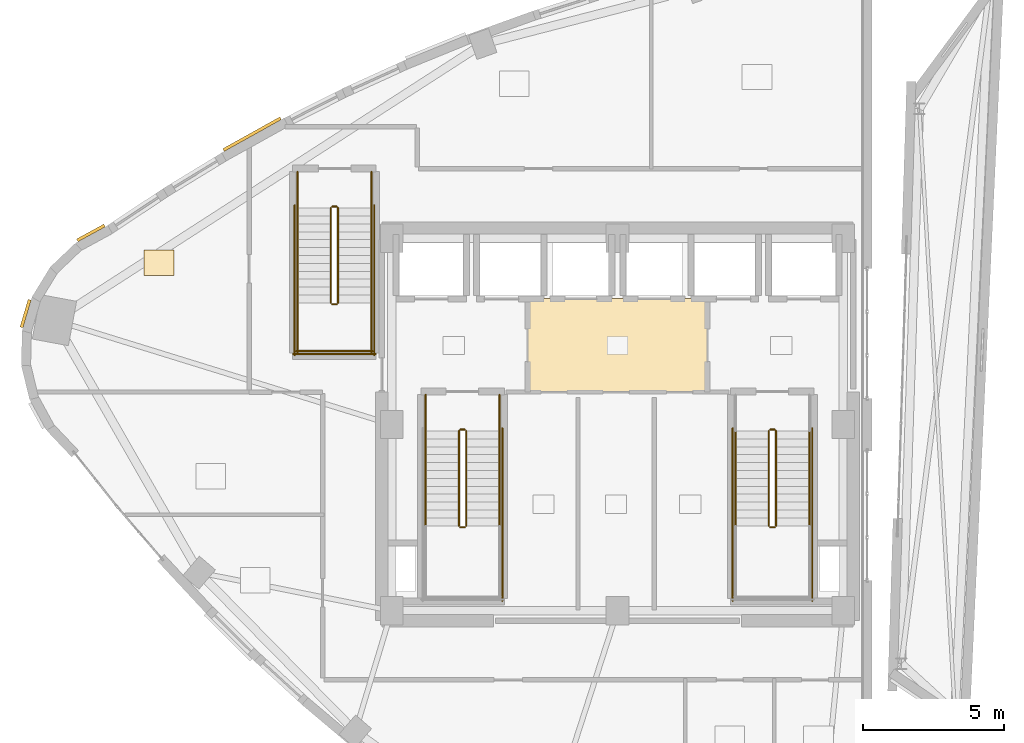
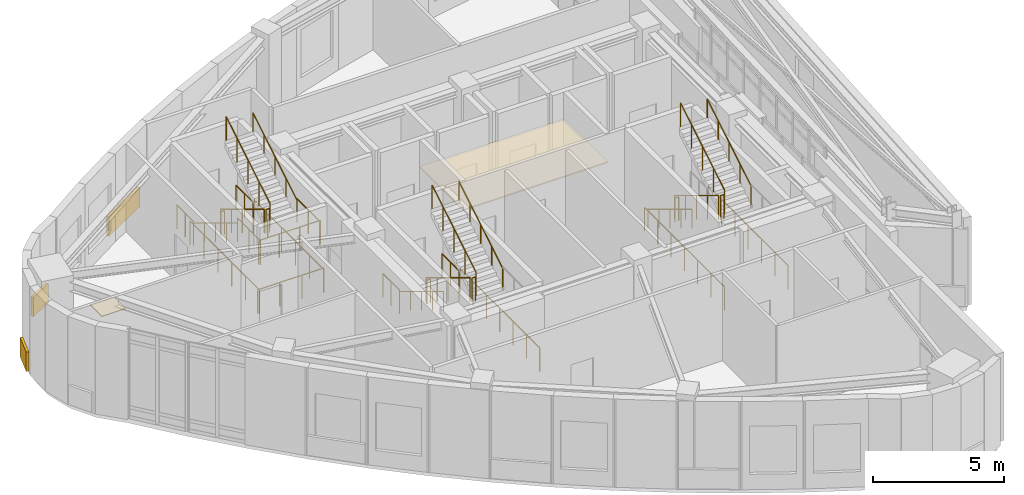
# One storey, part 18 of 19: 31 railings, 5 coverings.
"""IFC4 building model written with IfcOpenShell, lengths in metres."""

from ifc_helpers import new_model, si_unit, direction, frame, origin, origin_2d, place, context, subcontext, project, spatial, rectangle, circle, extrude, material, layer, layer_set, type_object, element, save


model = new_model("IFC4")

# Units and contexts
model_context = context("Model", 3, precision=1e-05, world=origin(), true_north=direction((0.0, 1.0)))
body_context = subcontext(model_context, "Body", "Model", "MODEL_VIEW")
ifc_project = project(units=[si_unit("LENGTHUNIT", "METRE"), si_unit("AREAUNIT", "SQUARE_METRE"), si_unit("VOLUMEUNIT", "CUBIC_METRE"), si_unit("PLANEANGLEUNIT", "RADIAN"), si_unit("MASSUNIT", "GRAM", prefix="KILO")], contexts=[model_context])

# Site, building, storey
site_placement = place(None, origin())
site = spatial("IfcSite", under=ifc_project, at=site_placement, CompositionType="ELEMENT")
building_placement = place(site_placement, origin())
building = spatial("IfcBuilding", under=site, at=building_placement, Name="Ndelora Gate Hotel", CompositionType="ELEMENT")
storey_placement = place(building_placement, frame((0.0, 0.0, 299.199951171875)))
storey = spatial("IfcBuildingStorey", under=building, at=storey_placement, Name="L74", CompositionType="ELEMENT", Elevation=299.199951171875)

# Coverings
ifc_material_1 = material(Name="Perforated Acoustic Gypsum Board", Category="gypsum")
ifc_layer_1 = layer(ifc_material_1, 0.054931640625)
ifc_layer_set_1 = layer_set([ifc_layer_1], Name="Perforated Acoustic Gypsum Board")
covering_type_1 = type_object("IfcCoveringType", Name="COV-CEIL-AC60", PredefinedType="CEILING", material=ifc_layer_set_1)
covering_1_placement = place(storey_placement, frame((0.0, 2.800048828125, 2.72265625), z_axis=(0.0, 0.0, 1.0), x_axis=(1.0, 0.0, 0.0)))
element("IfcCovering", 1, at=covering_1_placement, inside=storey, type_object=covering_type_1, Name="L74 Lift Lobby Acoustic Ceiling", PredefinedType="CEILING", context=body_context, shape_type="SweptSolid", body=[
    extrude(rectangle(XDim=6.39990234375, YDim=3.340087890625, at=origin_2d()), origin(), (0.0, 0.0, 1.0), 0.054931640625),
])
ifc_material_2 = material(Name="Terracotta Fired Clay Brick Slip Cladding", Category="masonry")
ifc_layer_2 = layer(ifc_material_2, 0.110107421875)
ifc_layer_set_2 = layer_set([ifc_layer_2], Name="Terracotta Fired Clay Brick Slip Cladding")
covering_type_2 = type_object("IfcCoveringType", Name="COV-CLAD-BRK", PredefinedType="CLADDING", material=ifc_layer_set_2)
covering_2_placement = place(storey_placement, frame((-18.65771484375, 6.7890625, 0.10009765625), z_axis=(0.0, 0.0, 1.0), x_axis=(0.878150016915, 0.478385354909, 0.0)))
element("IfcCovering", 2, at=covering_2_placement, inside=storey, type_object=covering_type_2, Name="L74 Rounded-Corner Brick Cladding Band 1", PredefinedType="CLADDING", context=body_context, shape_type="SweptSolid", body=[
    extrude(rectangle(XDim=1.09912109375, YDim=0.110107421875, at=origin_2d()), origin(), (0.0, 0.0, 1.0), 0.89990234375),
])
covering_3_placement = place(storey_placement, frame((-20.9736328125, 3.930419921875, 0.10009765625), z_axis=(0.0, 0.0, 1.0), x_axis=(0.282508884416, 0.959264682049, 0.0)))
element("IfcCovering", 3, at=covering_3_placement, inside=storey, type_object=covering_type_2, Name="L74 Rounded-Corner Brick Cladding Band 7", PredefinedType="CLADDING", context=body_context, shape_type="SweptSolid", body=[
    extrude(rectangle(XDim=1.01611328125, YDim=0.110107421875, at=origin_2d()), origin(), (0.0, 0.0, 1.0), 0.89990234375),
])
covering_4_placement = place(storey_placement, frame((-12.94775390625, 10.28857421875, 0.10009765625), z_axis=(0.0, 0.0, 1.0), x_axis=(0.873941932872, 0.486030346756, 0.0)))
element("IfcCovering", 4, at=covering_4_placement, inside=storey, type_object=covering_type_2, Name="L74 Rounded-Corner Brick Cladding Band 61", PredefinedType="CLADDING", context=body_context, shape_type="SweptSolid", body=[
    extrude(rectangle(XDim=2.31298828125, YDim=0.110107421875, at=origin_2d()), origin(), (0.0, 0.0, 1.0), 0.89990234375),
])
ifc_material_3 = material(Name="Engineered Highland Oak Parquet", Category="wood")
ifc_layer_3 = layer(ifc_material_3, 0.030029296875)
ifc_layer_set_3 = layer_set([ifc_layer_3], Name="Engineered Highland Oak Parquet")
covering_type_3 = type_object("IfcCoveringType", Name="COV-FLR-PARQ", PredefinedType="FLOORING", material=ifc_layer_set_3)
covering_5_placement = place(storey_placement, frame((-16.2470703125, 5.735107421875, 0.0), z_axis=(0.0, 0.0, 1.0), x_axis=(1.0, 0.0, 0.0)))
element("IfcCovering", 5, at=covering_5_placement, inside=storey, type_object=covering_type_3, Name="L74 Presidential Reading Library Oak Parquet Flooring", PredefinedType="FLOORING", context=body_context, shape_type="SweptSolid", body=[
    extrude(rectangle(XDim=1.050048828125, YDim=0.89990234375, at=origin_2d()), origin(), (0.0, 0.0, 1.0), 0.030029296875),
])

# Railings
ifc_material_4 = material(Name="Painted Galvanized Steel Balustrade", Category="steel")
ifc_layer_4 = layer(ifc_material_4, 0.06005859375)
ifc_layer_set_4 = layer_set([ifc_layer_4], Name="Painted Galvanized Steel Balustrade")
railing_type_1 = type_object("IfcRailingType", Name="RL-STAIR-GD", PredefinedType="GUARDRAIL", material=ifc_layer_set_4)
railing_1_placement = place(storey_placement, frame((-5.6201171875, -0.22998046875, 0.169189453125)))
element("IfcRailing", 6, at=railing_1_placement, inside=storey, type_object=railing_type_1, Name="L74 ST4 stair guard 1", PredefinedType="GUARDRAIL", context=body_context, shape_type="SweptSolid", body=[
    extrude(circle(Radius=0.02392578125, at=origin_2d()), frame((0.0, 0.0, 1.10595703125), z_axis=(0.0, -0.855836976705, 0.517245656632), x_axis=(1.0, 0.0, 0.0)), (0.0, 0.0, 1.0), 3.926025390625),
    extrude(circle(Radius=0.02099609375, at=origin_2d()), origin(), (0.0, 0.0, 1.0), 1.081787109375),
    extrude(circle(Radius=0.02099609375, at=origin_2d()), frame((0.0, -0.840087890625, 0.5078125)), (0.0, 0.0, 1.0), 1.081787109375),
    extrude(circle(Radius=0.02099609375, at=origin_2d()), frame((0.0, -1.68017578125, 1.015380859375)), (0.0, 0.0, 1.0), 1.081787109375),
    extrude(circle(Radius=0.02099609375, at=origin_2d()), frame((0.0, -2.52001953125, 1.52294921875)), (0.0, 0.0, 1.0), 1.081787109375),
    extrude(circle(Radius=0.02099609375, at=origin_2d()), frame((0.0, -3.360107421875, 2.03076171875)), (0.0, 0.0, 1.0), 1.081787109375),
])
railing_2_placement = place(storey_placement, frame((-5.570068359375, -3.639892578125, 2.199951171875)))
element("IfcRailing", 7, at=railing_2_placement, inside=storey, type_object=railing_type_1, Name="L74 ST4 stair guard 2", PredefinedType="GUARDRAIL", context=body_context, shape_type="SweptSolid", body=[
    extrude(circle(Radius=0.02392578125, at=origin_2d()), frame((0.0, 0.0, 1.10595703125), z_axis=(1.0, 0.0, 0.0), x_axis=(0.0, 1.0, 0.0)), (0.0, 0.0, 1.0), 0.16015625),
    extrude(circle(Radius=0.02099609375, at=origin_2d()), origin(), (0.0, 0.0, 1.0), 1.081787109375),
    extrude(circle(Radius=0.02099609375, at=origin_2d()), frame((0.16015625, 0.0, 0.0)), (0.0, 0.0, 1.0), 1.081787109375),
])
railing_3_placement = place(storey_placement, frame((-5.360107421875, -3.590087890625, 2.369384765625)))
element("IfcRailing", 8, at=railing_3_placement, inside=storey, type_object=railing_type_1, Name="L74 ST4 stair guard 6", PredefinedType="GUARDRAIL", context=body_context, shape_type="SweptSolid", body=[
    extrude(circle(Radius=0.02392578125, at=origin_2d()), frame((0.0, 0.0, 1.10595703125), z_axis=(0.0, 0.855836976705, 0.517245656632), x_axis=(-1.0, 0.0, 0.0)), (0.0, 0.0, 1.0), 3.926025390625),
    extrude(circle(Radius=0.02099609375, at=origin_2d()), origin(), (0.0, 0.0, 1.0), 1.081787109375),
    extrude(circle(Radius=0.02099609375, at=origin_2d()), frame((0.0, 0.840087890625, 0.5078125)), (0.0, 0.0, 1.0), 1.081787109375),
    extrude(circle(Radius=0.02099609375, at=origin_2d()), frame((0.0, 1.68017578125, 1.015380859375)), (0.0, 0.0, 1.0), 1.081787109375),
    extrude(circle(Radius=0.02099609375, at=origin_2d()), frame((0.0, 2.52001953125, 1.52294921875)), (0.0, 0.0, 1.0), 1.081787109375),
    extrude(circle(Radius=0.02099609375, at=origin_2d()), frame((0.0, 3.360107421875, 2.03076171875)), (0.0, 0.0, 1.0), 1.081787109375),
])
railing_4_placement = place(storey_placement, frame((-5.570068359375, -0.179931640625, 0.0)))
element("IfcRailing", 9, at=railing_4_placement, inside=storey, type_object=railing_type_1, Name="L74 ST4 stair guard 7", PredefinedType="GUARDRAIL", context=body_context, shape_type="SweptSolid", body=[
    extrude(circle(Radius=0.02392578125, at=origin_2d()), frame((0.0, 0.0, 1.10595703125), z_axis=(1.0, 0.0, 0.0), x_axis=(0.0, 1.0, 0.0)), (0.0, 0.0, 1.0), 0.16015625),
    extrude(circle(Radius=0.02099609375, at=origin_2d()), origin(), (0.0, 0.0, 1.0), 1.081787109375),
    extrude(circle(Radius=0.02099609375, at=origin_2d()), frame((0.16015625, 0.0, 0.0)), (0.0, 0.0, 1.0), 1.081787109375),
])
for number, where, name in (
    (10, (-6.800048828125, 1.050048828125, 0.0), "L74 ST4 stair guard 8"),
    (11, (-4.179931640625, 1.050048828125, 0.0), "L74 ST4 stair guard 9"),
):
    element("IfcRailing", number, at=place(storey_placement, frame(where)), inside=storey, type_object=railing_type_1, Name=name, PredefinedType="GUARDRAIL", context=body_context, shape_type="SweptSolid", body=[
        extrude(circle(Radius=0.02392578125, at=origin_2d()), frame((0.0, 0.0, 1.10595703125), z_axis=(0.0, -1.0, 0.0), x_axis=(1.0, 0.0, 0.0)), (0.0, 0.0, 1.0), 1.280029296875),
        extrude(circle(Radius=0.02099609375, at=origin_2d()), origin(), (0.0, 0.0, 1.0), 1.081787109375),
        extrude(circle(Radius=0.02099609375, at=origin_2d()), frame((0.0, -0.64013671875, 0.0)), (0.0, 0.0, 1.0), 1.081787109375),
        extrude(circle(Radius=0.02099609375, at=origin_2d()), frame((0.0, -1.280029296875, 0.0)), (0.0, 0.0, 1.0), 1.081787109375),
    ])
railing_5_placement = place(storey_placement, frame((-4.080078125, -0.1298828125, 0.0)))
element("IfcRailing", 12, at=railing_5_placement, inside=storey, type_object=railing_type_1, Name="L74 ST4 stair guard 11", PredefinedType="GUARDRAIL", context=body_context, shape_type="SweptSolid", body=[
    extrude(circle(Radius=0.02392578125, at=origin_2d()), frame((0.0, 0.0, 1.10595703125), z_axis=(0.0, -1.0, 0.0), x_axis=(1.0, 0.0, 0.0)), (0.0, 0.0, 1.0), 6.1201171875),
    extrude(circle(Radius=0.02099609375, at=origin_2d()), origin(), (0.0, 0.0, 1.0), 1.081787109375),
    extrude(circle(Radius=0.02099609375, at=origin_2d()), frame((0.0, -1.02001953125, 0.0)), (0.0, 0.0, 1.0), 1.081787109375),
    extrude(circle(Radius=0.02099609375, at=origin_2d()), frame((0.0, -2.0400390625, 0.0)), (0.0, 0.0, 1.0), 1.081787109375),
    extrude(circle(Radius=0.02099609375, at=origin_2d()), frame((0.0, -3.06005859375, 0.0)), (0.0, 0.0, 1.0), 1.081787109375),
    extrude(circle(Radius=0.02099609375, at=origin_2d()), frame((0.0, -4.080078125, 0.0)), (0.0, 0.0, 1.0), 1.081787109375),
    extrude(circle(Radius=0.02099609375, at=origin_2d()), frame((0.0, -5.10009765625, 0.0)), (0.0, 0.0, 1.0), 1.081787109375),
    extrude(circle(Radius=0.02099609375, at=origin_2d()), frame((0.0, -6.1201171875, 0.0)), (0.0, 0.0, 1.0), 1.081787109375),
])
railing_6_placement = place(storey_placement, frame((5.360107421875, -0.22998046875, 0.169189453125)))
element("IfcRailing", 13, at=railing_6_placement, inside=storey, type_object=railing_type_1, Name="L74 ST5 stair guard 1", PredefinedType="GUARDRAIL", context=body_context, shape_type="SweptSolid", body=[
    extrude(circle(Radius=0.02392578125, at=origin_2d()), frame((0.0, 0.0, 1.10595703125), z_axis=(0.0, -0.855836976705, 0.517245656632), x_axis=(1.0, 0.0, 0.0)), (0.0, 0.0, 1.0), 3.926025390625),
    extrude(circle(Radius=0.02099609375, at=origin_2d()), origin(), (0.0, 0.0, 1.0), 1.081787109375),
    extrude(circle(Radius=0.02099609375, at=origin_2d()), frame((0.0, -0.840087890625, 0.5078125)), (0.0, 0.0, 1.0), 1.081787109375),
    extrude(circle(Radius=0.02099609375, at=origin_2d()), frame((0.0, -1.68017578125, 1.015380859375)), (0.0, 0.0, 1.0), 1.081787109375),
    extrude(circle(Radius=0.02099609375, at=origin_2d()), frame((0.0, -2.52001953125, 1.52294921875)), (0.0, 0.0, 1.0), 1.081787109375),
    extrude(circle(Radius=0.02099609375, at=origin_2d()), frame((0.0, -3.360107421875, 2.03076171875)), (0.0, 0.0, 1.0), 1.081787109375),
])
railing_7_placement = place(storey_placement, frame((5.409912109375, -3.639892578125, 2.199951171875)))
element("IfcRailing", 14, at=railing_7_placement, inside=storey, type_object=railing_type_1, Name="L74 ST5 stair guard 2", PredefinedType="GUARDRAIL", context=body_context, shape_type="SweptSolid", body=[
    extrude(circle(Radius=0.02392578125, at=origin_2d()), frame((0.0, 0.0, 1.10595703125), z_axis=(1.0, 0.0, 0.0), x_axis=(0.0, 1.0, 0.0)), (0.0, 0.0, 1.0), 0.16015625),
    extrude(circle(Radius=0.02099609375, at=origin_2d()), origin(), (0.0, 0.0, 1.0), 1.081787109375),
    extrude(circle(Radius=0.02099609375, at=origin_2d()), frame((0.16015625, 0.0, 0.0)), (0.0, 0.0, 1.0), 1.081787109375),
])
railing_8_placement = place(storey_placement, frame((5.6201171875, -3.590087890625, 2.369384765625)))
element("IfcRailing", 15, at=railing_8_placement, inside=storey, type_object=railing_type_1, Name="L74 ST5 stair guard 6", PredefinedType="GUARDRAIL", context=body_context, shape_type="SweptSolid", body=[
    extrude(circle(Radius=0.02392578125, at=origin_2d()), frame((0.0, 0.0, 1.10595703125), z_axis=(0.0, 0.855836976705, 0.517245656632), x_axis=(-1.0, 0.0, 0.0)), (0.0, 0.0, 1.0), 3.926025390625),
    extrude(circle(Radius=0.02099609375, at=origin_2d()), origin(), (0.0, 0.0, 1.0), 1.081787109375),
    extrude(circle(Radius=0.02099609375, at=origin_2d()), frame((0.0, 0.840087890625, 0.5078125)), (0.0, 0.0, 1.0), 1.081787109375),
    extrude(circle(Radius=0.02099609375, at=origin_2d()), frame((0.0, 1.68017578125, 1.015380859375)), (0.0, 0.0, 1.0), 1.081787109375),
    extrude(circle(Radius=0.02099609375, at=origin_2d()), frame((0.0, 2.52001953125, 1.52294921875)), (0.0, 0.0, 1.0), 1.081787109375),
    extrude(circle(Radius=0.02099609375, at=origin_2d()), frame((0.0, 3.360107421875, 2.03076171875)), (0.0, 0.0, 1.0), 1.081787109375),
])
railing_9_placement = place(storey_placement, frame((5.409912109375, -0.179931640625, 0.0)))
element("IfcRailing", 16, at=railing_9_placement, inside=storey, type_object=railing_type_1, Name="L74 ST5 stair guard 7", PredefinedType="GUARDRAIL", context=body_context, shape_type="SweptSolid", body=[
    extrude(circle(Radius=0.02392578125, at=origin_2d()), frame((0.0, 0.0, 1.10595703125), z_axis=(1.0, 0.0, 0.0), x_axis=(0.0, 1.0, 0.0)), (0.0, 0.0, 1.0), 0.16015625),
    extrude(circle(Radius=0.02099609375, at=origin_2d()), origin(), (0.0, 0.0, 1.0), 1.081787109375),
    extrude(circle(Radius=0.02099609375, at=origin_2d()), frame((0.16015625, 0.0, 0.0)), (0.0, 0.0, 1.0), 1.081787109375),
])
for number, where, name in (
    (17, (4.080078125, -0.1298828125, 0.0), "L74 ST5 stair guard 10"),
    (18, (6.89990234375, -0.1298828125, 0.0), "L74 ST5 stair guard 11"),
):
    element("IfcRailing", number, at=place(storey_placement, frame(where)), inside=storey, type_object=railing_type_1, Name=name, PredefinedType="GUARDRAIL", context=body_context, shape_type="SweptSolid", body=[
        extrude(circle(Radius=0.02392578125, at=origin_2d()), frame((0.0, 0.0, 1.10595703125), z_axis=(0.0, -1.0, 0.0), x_axis=(1.0, 0.0, 0.0)), (0.0, 0.0, 1.0), 6.1201171875),
        extrude(circle(Radius=0.02099609375, at=origin_2d()), origin(), (0.0, 0.0, 1.0), 1.081787109375),
        extrude(circle(Radius=0.02099609375, at=origin_2d()), frame((0.0, -1.02001953125, 0.0)), (0.0, 0.0, 1.0), 1.081787109375),
        extrude(circle(Radius=0.02099609375, at=origin_2d()), frame((0.0, -2.0400390625, 0.0)), (0.0, 0.0, 1.0), 1.081787109375),
        extrude(circle(Radius=0.02099609375, at=origin_2d()), frame((0.0, -3.06005859375, 0.0)), (0.0, 0.0, 1.0), 1.081787109375),
        extrude(circle(Radius=0.02099609375, at=origin_2d()), frame((0.0, -4.080078125, 0.0)), (0.0, 0.0, 1.0), 1.081787109375),
        extrude(circle(Radius=0.02099609375, at=origin_2d()), frame((0.0, -5.10009765625, 0.0)), (0.0, 0.0, 1.0), 1.081787109375),
        extrude(circle(Radius=0.02099609375, at=origin_2d()), frame((0.0, -6.1201171875, 0.0)), (0.0, 0.0, 1.0), 1.081787109375),
    ])
railing_10_placement = place(storey_placement, frame((-10.159912109375, 7.669921875, 0.169189453125)))
element("IfcRailing", 19, at=railing_10_placement, inside=storey, type_object=railing_type_1, Name="L74 ST6 stair guard 1", PredefinedType="GUARDRAIL", context=body_context, shape_type="SweptSolid", body=[
    extrude(circle(Radius=0.02392578125, at=origin_2d()), frame((0.0, 0.0, 1.10595703125), z_axis=(0.0, -0.855820338506, 0.51727318527), x_axis=(1.0, 0.0, 0.0)), (0.0, 0.0, 1.0), 3.92578125),
    extrude(circle(Radius=0.02099609375, at=origin_2d()), origin(), (0.0, 0.0, 1.0), 1.081787109375),
    extrude(circle(Radius=0.02099609375, at=origin_2d()), frame((0.0, -0.83984375, 0.5078125)), (0.0, 0.0, 1.0), 1.081787109375),
    extrude(circle(Radius=0.02099609375, at=origin_2d()), frame((0.0, -1.679931640625, 1.015380859375)), (0.0, 0.0, 1.0), 1.081787109375),
    extrude(circle(Radius=0.02099609375, at=origin_2d()), frame((0.0, -2.52001953125, 1.52294921875)), (0.0, 0.0, 1.0), 1.081787109375),
    extrude(circle(Radius=0.02099609375, at=origin_2d()), frame((0.0, -3.35986328125, 2.03076171875)), (0.0, 0.0, 1.0), 1.081787109375),
])
railing_11_placement = place(storey_placement, frame((-10.110107421875, 4.260009765625, 2.199951171875)))
element("IfcRailing", 20, at=railing_11_placement, inside=storey, type_object=railing_type_1, Name="L74 ST6 stair guard 2", PredefinedType="GUARDRAIL", context=body_context, shape_type="SweptSolid", body=[
    extrude(circle(Radius=0.02392578125, at=origin_2d()), frame((0.0, 0.0, 1.10595703125), z_axis=(1.0, 0.0, 0.0), x_axis=(0.0, 1.0, 0.0)), (0.0, 0.0, 1.0), 0.16015625),
    extrude(circle(Radius=0.02099609375, at=origin_2d()), origin(), (0.0, 0.0, 1.0), 1.081787109375),
    extrude(circle(Radius=0.02099609375, at=origin_2d()), frame((0.16015625, 0.0, 0.0)), (0.0, 0.0, 1.0), 1.081787109375),
])
for number, where, name in (
    (21, (-11.340087890625, 4.31005859375, 2.199951171875), "L74 ST6 stair guard 3"),
    (22, (-8.719970703125, 4.31005859375, 2.199951171875), "L74 ST6 stair guard 4"),
):
    element("IfcRailing", number, at=place(storey_placement, frame(where)), inside=storey, type_object=railing_type_1, Name=name, PredefinedType="GUARDRAIL", context=body_context, shape_type="SweptSolid", body=[
        extrude(circle(Radius=0.02392578125, at=origin_2d()), frame((0.0, 0.0, 1.10595703125), z_axis=(0.0, -1.0, 0.0), x_axis=(1.0, 0.0, 0.0)), (0.0, 0.0, 1.0), 1.760009765625),
        extrude(circle(Radius=0.02099609375, at=origin_2d()), origin(), (0.0, 0.0, 1.0), 1.081787109375),
        extrude(circle(Radius=0.02099609375, at=origin_2d()), frame((0.0, -0.8798828125, 0.0)), (0.0, 0.0, 1.0), 1.081787109375),
        extrude(circle(Radius=0.02099609375, at=origin_2d()), frame((0.0, -1.760009765625, 0.0)), (0.0, 0.0, 1.0), 1.081787109375),
    ])
railing_12_placement = place(storey_placement, frame((-11.389892578125, 2.60009765625, 2.199951171875)))
element("IfcRailing", 23, at=railing_12_placement, inside=storey, type_object=railing_type_1, Name="L74 ST6 stair guard 5", PredefinedType="GUARDRAIL", context=body_context, shape_type="SweptSolid", body=[
    extrude(circle(Radius=0.02392578125, at=origin_2d()), frame((0.0, 0.0, 1.10595703125), z_axis=(1.0, 0.0, 0.0), x_axis=(0.0, 1.0, 0.0)), (0.0, 0.0, 1.0), 2.719970703125),
    extrude(circle(Radius=0.02099609375, at=origin_2d()), origin(), (0.0, 0.0, 1.0), 1.081787109375),
    extrude(circle(Radius=0.02099609375, at=origin_2d()), frame((0.90673828125, 0.0, 0.0)), (0.0, 0.0, 1.0), 1.081787109375),
    extrude(circle(Radius=0.02099609375, at=origin_2d()), frame((1.813232421875, 0.0, 0.0)), (0.0, 0.0, 1.0), 1.081787109375),
    extrude(circle(Radius=0.02099609375, at=origin_2d()), frame((2.719970703125, 0.0, 0.0)), (0.0, 0.0, 1.0), 1.081787109375),
])
railing_13_placement = place(storey_placement, frame((-9.89990234375, 4.31005859375, 2.369384765625)))
element("IfcRailing", 24, at=railing_13_placement, inside=storey, type_object=railing_type_1, Name="L74 ST6 stair guard 6", PredefinedType="GUARDRAIL", context=body_context, shape_type="SweptSolid", body=[
    extrude(circle(Radius=0.02392578125, at=origin_2d()), frame((0.0, 0.0, 1.10595703125), z_axis=(0.0, 0.855820338506, 0.51727318527), x_axis=(-1.0, 0.0, 0.0)), (0.0, 0.0, 1.0), 3.92578125),
    extrude(circle(Radius=0.02099609375, at=origin_2d()), origin(), (0.0, 0.0, 1.0), 1.081787109375),
    extrude(circle(Radius=0.02099609375, at=origin_2d()), frame((0.0, 0.83984375, 0.5078125)), (0.0, 0.0, 1.0), 1.081787109375),
    extrude(circle(Radius=0.02099609375, at=origin_2d()), frame((0.0, 1.679931640625, 1.015380859375)), (0.0, 0.0, 1.0), 1.081787109375),
    extrude(circle(Radius=0.02099609375, at=origin_2d()), frame((0.0, 2.52001953125, 1.52294921875)), (0.0, 0.0, 1.0), 1.081787109375),
    extrude(circle(Radius=0.02099609375, at=origin_2d()), frame((0.0, 3.35986328125, 2.03076171875)), (0.0, 0.0, 1.0), 1.081787109375),
])
railing_14_placement = place(storey_placement, frame((-10.110107421875, 7.719970703125, 0.0)))
element("IfcRailing", 25, at=railing_14_placement, inside=storey, type_object=railing_type_1, Name="L74 ST6 stair guard 7", PredefinedType="GUARDRAIL", context=body_context, shape_type="SweptSolid", body=[
    extrude(circle(Radius=0.02392578125, at=origin_2d()), frame((0.0, 0.0, 1.10595703125), z_axis=(1.0, 0.0, 0.0), x_axis=(0.0, 1.0, 0.0)), (0.0, 0.0, 1.0), 0.16015625),
    extrude(circle(Radius=0.02099609375, at=origin_2d()), origin(), (0.0, 0.0, 1.0), 1.081787109375),
    extrude(circle(Radius=0.02099609375, at=origin_2d()), frame((0.16015625, 0.0, 0.0)), (0.0, 0.0, 1.0), 1.081787109375),
])
for number, where, name in (
    (26, (-11.340087890625, 8.949951171875, 0.0), "L74 ST6 stair guard 8"),
    (27, (-8.719970703125, 8.949951171875, 0.0), "L74 ST6 stair guard 9"),
):
    element("IfcRailing", number, at=place(storey_placement, frame(where)), inside=storey, type_object=railing_type_1, Name=name, PredefinedType="GUARDRAIL", context=body_context, shape_type="SweptSolid", body=[
        extrude(circle(Radius=0.02392578125, at=origin_2d()), frame((0.0, 0.0, 1.10595703125), z_axis=(0.0, -1.0, 0.0), x_axis=(1.0, 0.0, 0.0)), (0.0, 0.0, 1.0), 1.280029296875),
        extrude(circle(Radius=0.02099609375, at=origin_2d()), origin(), (0.0, 0.0, 1.0), 1.081787109375),
        extrude(circle(Radius=0.02099609375, at=origin_2d()), frame((0.0, -0.64013671875, 0.0)), (0.0, 0.0, 1.0), 1.081787109375),
        extrude(circle(Radius=0.02099609375, at=origin_2d()), frame((0.0, -1.280029296875, 0.0)), (0.0, 0.0, 1.0), 1.081787109375),
    ])
for number, where, name in (
    (28, (-11.43994140625, 7.77001953125, 0.0), "L74 ST6 stair guard 10"),
    (29, (-8.6201171875, 7.77001953125, 0.0), "L74 ST6 stair guard 11"),
):
    element("IfcRailing", number, at=place(storey_placement, frame(where)), inside=storey, type_object=railing_type_1, Name=name, PredefinedType="GUARDRAIL", context=body_context, shape_type="SweptSolid", body=[
        extrude(circle(Radius=0.02392578125, at=origin_2d()), frame((0.0, 0.0, 1.10595703125), z_axis=(0.0, -1.0, 0.0), x_axis=(1.0, 0.0, 0.0)), (0.0, 0.0, 1.0), 5.320068359375),
        extrude(circle(Radius=0.02099609375, at=origin_2d()), origin(), (0.0, 0.0, 1.0), 1.081787109375),
        extrude(circle(Radius=0.02099609375, at=origin_2d()), frame((0.0, -1.06396484375, 0.0)), (0.0, 0.0, 1.0), 1.081787109375),
        extrude(circle(Radius=0.02099609375, at=origin_2d()), frame((0.0, -2.1279296875, 0.0)), (0.0, 0.0, 1.0), 1.081787109375),
        extrude(circle(Radius=0.02099609375, at=origin_2d()), frame((0.0, -3.192138671875, 0.0)), (0.0, 0.0, 1.0), 1.081787109375),
        extrude(circle(Radius=0.02099609375, at=origin_2d()), frame((0.0, -4.256103515625, 0.0)), (0.0, 0.0, 1.0), 1.081787109375),
        extrude(circle(Radius=0.02099609375, at=origin_2d()), frame((0.0, -5.320068359375, 0.0)), (0.0, 0.0, 1.0), 1.081787109375),
    ])
railing_15_placement = place(storey_placement, frame((-11.489990234375, 2.5, 0.0)))
element("IfcRailing", 30, at=railing_15_placement, inside=storey, type_object=railing_type_1, Name="L74 ST6 stair guard 12", PredefinedType="GUARDRAIL", context=body_context, shape_type="SweptSolid", body=[
    extrude(circle(Radius=0.02392578125, at=origin_2d()), frame((0.0, 0.0, 1.10595703125), z_axis=(1.0, 0.0, 0.0), x_axis=(0.0, 1.0, 0.0)), (0.0, 0.0, 1.0), 2.919921875),
    extrude(circle(Radius=0.02099609375, at=origin_2d()), origin(), (0.0, 0.0, 1.0), 1.081787109375),
    extrude(circle(Radius=0.02099609375, at=origin_2d()), frame((0.973388671875, 0.0, 0.0)), (0.0, 0.0, 1.0), 1.081787109375),
    extrude(circle(Radius=0.02099609375, at=origin_2d()), frame((1.946533203125, 0.0, 0.0)), (0.0, 0.0, 1.0), 1.081787109375),
    extrude(circle(Radius=0.02099609375, at=origin_2d()), frame((2.919921875, 0.0, 0.0)), (0.0, 0.0, 1.0), 1.081787109375),
])
ifc_material_5 = material(Name="Brushed Stainless Steel 316", Category="steel")
ifc_layer_5 = layer(ifc_material_5, 0.050048828125)
ifc_layer_set_5 = layer_set([ifc_layer_5], Name="Brushed Stainless Steel 316")
railing_type_2 = type_object("IfcRailingType", Name="RL-STAIR-HR", PredefinedType="HANDRAIL", material=ifc_layer_set_5)
railing_16_placement = place(storey_placement, frame((-6.800048828125, -0.22998046875, 0.169189453125)))
element("IfcRailing", 31, at=railing_16_placement, inside=storey, type_object=railing_type_2, Name="L74 ST4 stair handrail 1", PredefinedType="HANDRAIL", context=body_context, shape_type="SweptSolid", body=[
    extrude(circle(Radius=0.02392578125, at=origin_2d()), frame((0.0, 0.0, 0.8759765625), z_axis=(0.0, -0.855836976705, 0.517245656632), x_axis=(1.0, 0.0, 0.0)), (0.0, 0.0, 1.0), 3.926025390625),
    extrude(circle(Radius=0.02099609375, at=origin_2d()), origin(), (0.0, 0.0, 1.0), 0.851806640625),
    extrude(circle(Radius=0.02099609375, at=origin_2d()), frame((0.0, -0.840087890625, 0.5078125)), (0.0, 0.0, 1.0), 0.851806640625),
    extrude(circle(Radius=0.02099609375, at=origin_2d()), frame((0.0, -1.68017578125, 1.015380859375)), (0.0, 0.0, 1.0), 0.851806640625),
    extrude(circle(Radius=0.02099609375, at=origin_2d()), frame((0.0, -2.52001953125, 1.52294921875)), (0.0, 0.0, 1.0), 0.851806640625),
    extrude(circle(Radius=0.02099609375, at=origin_2d()), frame((0.0, -3.360107421875, 2.03076171875)), (0.0, 0.0, 1.0), 0.851806640625),
])
railing_17_placement = place(storey_placement, frame((-4.179931640625, -3.590087890625, 2.369384765625)))
element("IfcRailing", 32, at=railing_17_placement, inside=storey, type_object=railing_type_2, Name="L74 ST4 stair handrail 2", PredefinedType="HANDRAIL", context=body_context, shape_type="SweptSolid", body=[
    extrude(circle(Radius=0.02392578125, at=origin_2d()), frame((0.0, 0.0, 0.8759765625), z_axis=(0.0, 0.855836976705, 0.517245656632), x_axis=(-1.0, 0.0, 0.0)), (0.0, 0.0, 1.0), 3.926025390625),
    extrude(circle(Radius=0.02099609375, at=origin_2d()), origin(), (0.0, 0.0, 1.0), 0.851806640625),
    extrude(circle(Radius=0.02099609375, at=origin_2d()), frame((0.0, 0.840087890625, 0.5078125)), (0.0, 0.0, 1.0), 0.851806640625),
    extrude(circle(Radius=0.02099609375, at=origin_2d()), frame((0.0, 1.68017578125, 1.015380859375)), (0.0, 0.0, 1.0), 0.851806640625),
    extrude(circle(Radius=0.02099609375, at=origin_2d()), frame((0.0, 2.52001953125, 1.52294921875)), (0.0, 0.0, 1.0), 0.851806640625),
    extrude(circle(Radius=0.02099609375, at=origin_2d()), frame((0.0, 3.360107421875, 2.03076171875)), (0.0, 0.0, 1.0), 0.851806640625),
])
railing_18_placement = place(storey_placement, frame((4.179931640625, -0.22998046875, 0.169189453125)))
element("IfcRailing", 33, at=railing_18_placement, inside=storey, type_object=railing_type_2, Name="L74 ST5 stair handrail 1", PredefinedType="HANDRAIL", context=body_context, shape_type="SweptSolid", body=[
    extrude(circle(Radius=0.02392578125, at=origin_2d()), frame((0.0, 0.0, 0.8759765625), z_axis=(0.0, -0.855836976705, 0.517245656632), x_axis=(1.0, 0.0, 0.0)), (0.0, 0.0, 1.0), 3.926025390625),
    extrude(circle(Radius=0.02099609375, at=origin_2d()), origin(), (0.0, 0.0, 1.0), 0.851806640625),
    extrude(circle(Radius=0.02099609375, at=origin_2d()), frame((0.0, -0.840087890625, 0.5078125)), (0.0, 0.0, 1.0), 0.851806640625),
    extrude(circle(Radius=0.02099609375, at=origin_2d()), frame((0.0, -1.68017578125, 1.015380859375)), (0.0, 0.0, 1.0), 0.851806640625),
    extrude(circle(Radius=0.02099609375, at=origin_2d()), frame((0.0, -2.52001953125, 1.52294921875)), (0.0, 0.0, 1.0), 0.851806640625),
    extrude(circle(Radius=0.02099609375, at=origin_2d()), frame((0.0, -3.360107421875, 2.03076171875)), (0.0, 0.0, 1.0), 0.851806640625),
])
railing_19_placement = place(storey_placement, frame((6.800048828125, -3.590087890625, 2.369384765625)))
element("IfcRailing", 34, at=railing_19_placement, inside=storey, type_object=railing_type_2, Name="L74 ST5 stair handrail 2", PredefinedType="HANDRAIL", context=body_context, shape_type="SweptSolid", body=[
    extrude(circle(Radius=0.02392578125, at=origin_2d()), frame((0.0, 0.0, 0.8759765625), z_axis=(0.0, 0.855836976705, 0.517245656632), x_axis=(-1.0, 0.0, 0.0)), (0.0, 0.0, 1.0), 3.926025390625),
    extrude(circle(Radius=0.02099609375, at=origin_2d()), origin(), (0.0, 0.0, 1.0), 0.851806640625),
    extrude(circle(Radius=0.02099609375, at=origin_2d()), frame((0.0, 0.840087890625, 0.5078125)), (0.0, 0.0, 1.0), 0.851806640625),
    extrude(circle(Radius=0.02099609375, at=origin_2d()), frame((0.0, 1.68017578125, 1.015380859375)), (0.0, 0.0, 1.0), 0.851806640625),
    extrude(circle(Radius=0.02099609375, at=origin_2d()), frame((0.0, 2.52001953125, 1.52294921875)), (0.0, 0.0, 1.0), 0.851806640625),
    extrude(circle(Radius=0.02099609375, at=origin_2d()), frame((0.0, 3.360107421875, 2.03076171875)), (0.0, 0.0, 1.0), 0.851806640625),
])
railing_20_placement = place(storey_placement, frame((-11.340087890625, 7.669921875, 0.169189453125)))
element("IfcRailing", 35, at=railing_20_placement, inside=storey, type_object=railing_type_2, Name="L74 ST6 stair handrail 1", PredefinedType="HANDRAIL", context=body_context, shape_type="SweptSolid", body=[
    extrude(circle(Radius=0.02392578125, at=origin_2d()), frame((0.0, 0.0, 0.8759765625), z_axis=(0.0, -0.855820338506, 0.51727318527), x_axis=(1.0, 0.0, 0.0)), (0.0, 0.0, 1.0), 3.92578125),
    extrude(circle(Radius=0.02099609375, at=origin_2d()), origin(), (0.0, 0.0, 1.0), 0.851806640625),
    extrude(circle(Radius=0.02099609375, at=origin_2d()), frame((0.0, -0.83984375, 0.5078125)), (0.0, 0.0, 1.0), 0.851806640625),
    extrude(circle(Radius=0.02099609375, at=origin_2d()), frame((0.0, -1.679931640625, 1.015380859375)), (0.0, 0.0, 1.0), 0.851806640625),
    extrude(circle(Radius=0.02099609375, at=origin_2d()), frame((0.0, -2.52001953125, 1.52294921875)), (0.0, 0.0, 1.0), 0.851806640625),
    extrude(circle(Radius=0.02099609375, at=origin_2d()), frame((0.0, -3.35986328125, 2.03076171875)), (0.0, 0.0, 1.0), 0.851806640625),
])
railing_21_placement = place(storey_placement, frame((-8.719970703125, 4.31005859375, 2.369384765625)))
element("IfcRailing", 36, at=railing_21_placement, inside=storey, type_object=railing_type_2, Name="L74 ST6 stair handrail 2", PredefinedType="HANDRAIL", context=body_context, shape_type="SweptSolid", body=[
    extrude(circle(Radius=0.02392578125, at=origin_2d()), frame((0.0, 0.0, 0.8759765625), z_axis=(0.0, 0.855820338506, 0.51727318527), x_axis=(-1.0, 0.0, 0.0)), (0.0, 0.0, 1.0), 3.92578125),
    extrude(circle(Radius=0.02099609375, at=origin_2d()), origin(), (0.0, 0.0, 1.0), 0.851806640625),
    extrude(circle(Radius=0.02099609375, at=origin_2d()), frame((0.0, 0.83984375, 0.5078125)), (0.0, 0.0, 1.0), 0.851806640625),
    extrude(circle(Radius=0.02099609375, at=origin_2d()), frame((0.0, 1.679931640625, 1.015380859375)), (0.0, 0.0, 1.0), 0.851806640625),
    extrude(circle(Radius=0.02099609375, at=origin_2d()), frame((0.0, 2.52001953125, 1.52294921875)), (0.0, 0.0, 1.0), 0.851806640625),
    extrude(circle(Radius=0.02099609375, at=origin_2d()), frame((0.0, 3.35986328125, 2.03076171875)), (0.0, 0.0, 1.0), 0.851806640625),
])

save(model, "model.ifc")
